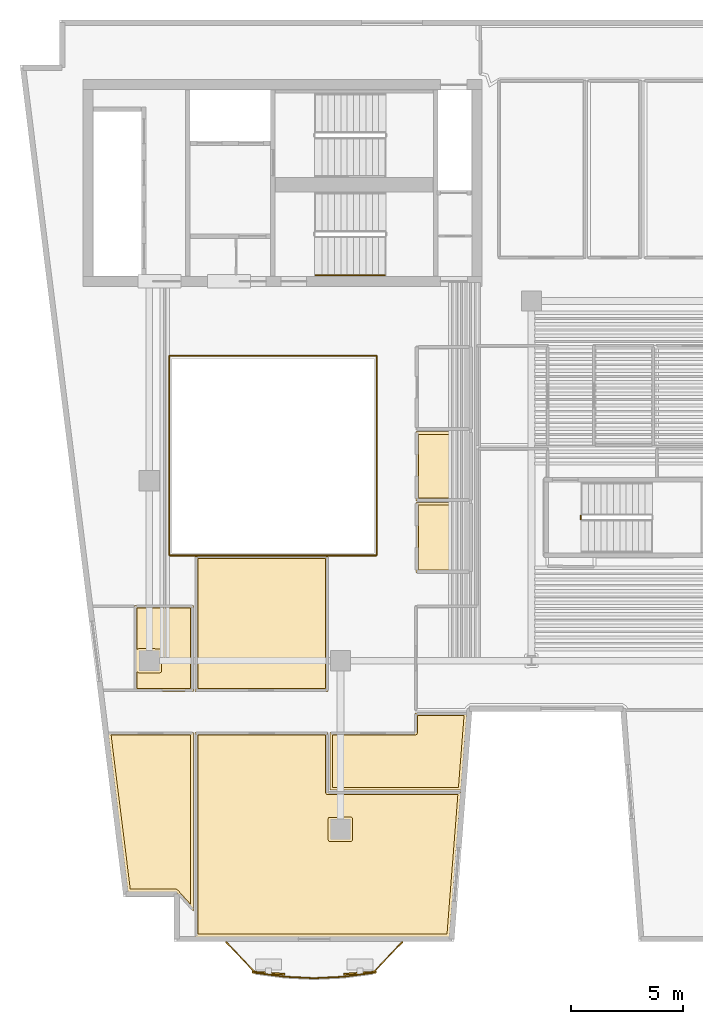
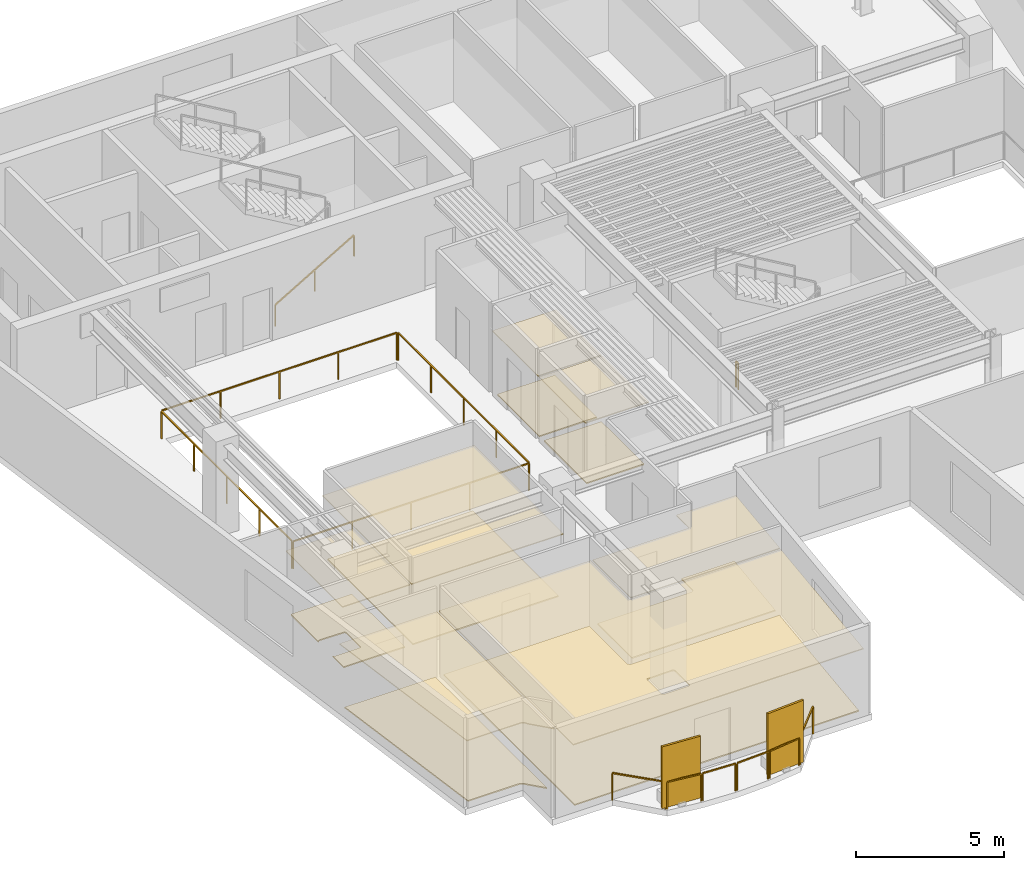
# One storey, part 8 of 10: 14 coverings, 12 railings, 2 shading devices.
"""IFC4 building model written with IfcOpenShell, lengths in metres."""

from ifc_helpers import new_model, si_unit, direction, frame, origin, origin_2d, place, context, subcontext, project, spatial, polyline, rectangle, outline, extrude, material, layer, layer_set, type_object, element, save


model = new_model("IFC4")

# Units and contexts
model_context = context("Model", 3, precision=1e-05, world=origin(), true_north=direction((0.0, 1.0)))
body_context = subcontext(model_context, "Body", "Model", "MODEL_VIEW")
ifc_project = project(units=[si_unit("LENGTHUNIT", "METRE"), si_unit("AREAUNIT", "SQUARE_METRE"), si_unit("VOLUMEUNIT", "CUBIC_METRE"), si_unit("PLANEANGLEUNIT", "RADIAN"), si_unit("MASSUNIT", "GRAM", prefix="KILO")], contexts=[model_context])

# Site, building, storey
site_placement = place(None, origin())
site = spatial("IfcSite", under=ifc_project, at=site_placement, CompositionType="ELEMENT")
building_placement = place(site_placement, origin())
building = spatial("IfcBuilding", under=site, at=building_placement, Name="Caeloran Harvest Quay", CompositionType="ELEMENT")
storey_placement = place(building_placement, frame((0.0, 0.0, 219.300048828125)))
storey = spatial("IfcBuildingStorey", under=building, at=storey_placement, Name="L52", CompositionType="ELEMENT", Elevation=219.300048828125)

# Coverings
ifc_material_1 = material(Name="Perforated Mineral-Fibre Acoustic Ceiling Tile", Category="ceiling")
ifc_layer_1 = layer(ifc_material_1, 0.0400390625, Name="Perforated Mineral-Fibre Acoustic Ceiling Tile")
ifc_layer_set_1 = layer_set([ifc_layer_1], Name="Perforated Mineral-Fibre Acoustic Ceiling Tile")
covering_type_1 = type_object("IfcCoveringType", Name="COV-CEILING-ACOUSTIC", PredefinedType="CEILING", material=ifc_layer_set_1)
covering_1_placement = place(storey_placement, frame((0.0, 0.0, 2.599853515625)))
element("IfcCovering", 1, at=covering_1_placement, inside=storey, type_object=covering_type_1, Name="L52 Female Washroom WC Acoustic Ceiling", PredefinedType="CEILING", context=body_context, shape_type="SweptSolid", body=[
    extrude(outline(polyline([(22.840087890625, 25.18994140625), (22.840087890625, 22.110107421875), (20.360107421875, 22.110107421875), (20.360107421875, 25.18994140625), (22.840087890625, 25.18994140625)])), origin(), (0.0, 0.0, 1.0), 0.0400390625),
])
covering_2_placement = place(storey_placement, frame((0.0, 0.0, 2.599853515625)))
element("IfcCovering", 2, at=covering_2_placement, inside=storey, type_object=covering_type_1, Name="L52 Accessible Unisex Washroom WC Acoustic Ceiling", PredefinedType="CEILING", context=body_context, shape_type="SweptSolid", body=[
    extrude(outline(polyline([(22.840087890625, 22.0400390625), (22.840087890625, 18.919921875), (20.360107421875, 18.919921875), (20.360107421875, 22.0400390625), (22.840087890625, 22.0400390625)])), origin(), (0.0, 0.0, 1.0), 0.0400390625),
])
covering_3_placement = place(storey_placement, frame((0.0, 0.0, 2.599853515625)))
element("IfcCovering", 3, at=covering_3_placement, inside=storey, type_object=covering_type_1, Name="Clean-Tech Venture Studio Acoustic Ceiling", PredefinedType="CEILING", context=body_context, shape_type="SweptSolid", body=[
    extrude(outline(polyline([(16.4599609375, 11.81005859375), (16.4599609375, 9.159912109375), (22.356201171875, 9.159912109375), (21.853515625, 2.719970703125), (10.5400390625, 2.719970703125), (10.5400390625, 11.81005859375), (16.4599609375, 11.81005859375)])), origin(), (0.0, 0.0, 1.0), 0.0400390625),
])
covering_4_placement = place(storey_placement, frame((0.0, 0.0, 2.599853515625)))
element("IfcCovering", 4, at=covering_4_placement, inside=storey, type_object=covering_type_1, Name="Portfolio Catering Kitchen Acoustic Ceiling", PredefinedType="CEILING", context=body_context, shape_type="SweptSolid", body=[
    extrude(outline(polyline([(10.4599609375, 11.81005859375), (10.4599609375, 3.851806640625), (9.812744140625, 4.56591796875), (9.77294921875, 4.639404296875), (9.673095703125, 4.719970703125), (7.54833984375, 4.719970703125), (6.666015625, 11.81005859375), (10.4599609375, 11.81005859375)])), origin(), (0.0, 0.0, 1.0), 0.0400390625),
])
covering_5_placement = place(storey_placement, frame((0.0, 0.0, 2.599853515625)))
element("IfcCovering", 5, at=covering_5_placement, inside=storey, type_object=covering_type_1, Name="Due-Diligence Meeting Hall Acoustic Ceiling", PredefinedType="CEILING", context=body_context, shape_type="SweptSolid", body=[
    extrude(outline(polyline([(20.31005859375, 11.81005859375), (20.31005859375, 12.679931640625), (22.630859375, 12.679931640625), (22.3623046875, 9.239990234375), (16.5400390625, 9.239990234375), (16.5400390625, 11.81005859375), (20.31005859375, 11.81005859375)])), origin(), (0.0, 0.0, 1.0), 0.0400390625),
])
covering_6_placement = place(storey_placement, frame((0.0, 0.0, 2.599853515625)))
element("IfcCovering", 6, at=covering_6_placement, inside=storey, type_object=covering_type_1, Name="General Partner Corner Office Acoustic Ceiling", PredefinedType="CEILING", context=body_context, shape_type="SweptSolid", body=[
    extrude(outline(polyline([(7.840087890625, 13.639892578125), (7.840087890625, 17.4599609375), (10.4599609375, 17.4599609375), (10.4599609375, 13.639892578125), (7.840087890625, 13.639892578125)])), origin(), (0.0, 0.0, 1.0), 0.0400390625),
])
covering_7_placement = place(storey_placement, frame((0.0, 0.0, 2.599853515625)))
element("IfcCovering", 7, at=covering_7_placement, inside=storey, type_object=covering_type_1, Name="Board Conference Room Acoustic Ceiling", PredefinedType="CEILING", context=body_context, shape_type="SweptSolid", body=[
    extrude(outline(polyline([(16.4599609375, 19.659912109375), (16.4599609375, 13.639892578125), (10.5400390625, 13.639892578125), (10.5400390625, 19.659912109375), (16.4599609375, 19.659912109375)])), origin(), (0.0, 0.0, 1.0), 0.0400390625),
])
ifc_material_2 = material(Name="Calcium-Sulphate Raised Access Floor and Terrazzo Finish", Category="flooring")
ifc_layer_2 = layer(ifc_material_2, 0.050048828125, Name="Calcium-Sulphate Raised Access Floor and Terrazzo Finish")
ifc_layer_set_2 = layer_set([ifc_layer_2], Name="Calcium-Sulphate Raised Access Floor and Terrazzo Finish")
covering_type_2 = type_object("IfcCoveringType", Name="COV-FLOOR-RAISED", PredefinedType="FLOORING", material=ifc_layer_set_2)
covering_8_placement = place(storey_placement, origin())
element("IfcCovering", 8, at=covering_8_placement, inside=storey, type_object=covering_type_2, Name="L52 Female Washroom WC Raised Finish Flooring", PredefinedType="FLOORING", context=body_context, shape_type="SweptSolid", body=[
    extrude(outline(polyline([(22.719970703125, 25.070068359375), (22.719970703125, 22.22998046875), (20.47998046875, 22.22998046875), (20.47998046875, 25.070068359375), (22.719970703125, 25.070068359375)])), origin(), (0.0, 0.0, 1.0), 0.050048828125),
])
covering_9_placement = place(storey_placement, origin())
element("IfcCovering", 9, at=covering_9_placement, inside=storey, type_object=covering_type_2, Name="L52 Accessible Unisex Washroom WC Raised Finish Flooring", PredefinedType="FLOORING", context=body_context, shape_type="SweptSolid", body=[
    extrude(outline(polyline([(22.719970703125, 21.919921875), (22.719970703125, 19.0400390625), (20.47998046875, 19.0400390625), (20.47998046875, 21.919921875), (22.719970703125, 21.919921875)])), origin(), (0.0, 0.0, 1.0), 0.050048828125),
])
covering_10_placement = place(storey_placement, origin())
element("IfcCovering", 10, at=covering_10_placement, inside=storey, type_object=covering_type_2, Name="Clean-Tech Venture Studio Raised Finish Flooring", PredefinedType="FLOORING", context=body_context, shape_type="SweptSolid", body=[
    extrude(outline(polyline([(10.659912109375, 11.68994140625), (16.340087890625, 11.68994140625), (16.340087890625, 9.1201171875), (16.404296875, 9.04150390625), (22.226318359375, 9.0400390625), (21.742431640625, 2.840087890625), (10.659912109375, 2.840087890625), (10.659912109375, 11.68994140625)]), holes=[polyline([(17.465087890625, 8.044921875), (16.484130859375, 8.02685546875), (16.455322265625, 7.972900390625), (16.455078125, 7.034912109375), (16.478515625, 6.978515625), (16.534912109375, 6.955078125), (17.465087890625, 6.955078125), (17.521484375, 6.978515625), (17.544921875, 7.034912109375), (17.544921875, 7.965087890625), (17.521484375, 8.021484375), (17.465087890625, 8.044921875)])]), origin(), (0.0, 0.0, 1.0), 0.050048828125),
])
covering_11_placement = place(storey_placement, origin())
element("IfcCovering", 11, at=covering_11_placement, inside=storey, type_object=covering_type_2, Name="Portfolio Catering Kitchen Raised Finish Flooring", PredefinedType="FLOORING", context=body_context, shape_type="SweptSolid", body=[
    extrude(outline(polyline([(9.76220703125, 4.80029296875), (9.69091796875, 4.840087890625), (7.654296875, 4.840087890625), (6.8017578125, 11.68994140625), (10.340087890625, 11.68994140625), (10.340087890625, 4.162841796875), (9.76220703125, 4.80029296875)])), origin(), (0.0, 0.0, 1.0), 0.050048828125),
])
covering_12_placement = place(storey_placement, origin())
element("IfcCovering", 12, at=covering_12_placement, inside=storey, type_object=covering_type_2, Name="Due-Diligence Meeting Hall Raised Finish Flooring", PredefinedType="FLOORING", context=body_context, shape_type="SweptSolid", body=[
    extrude(outline(polyline([(20.34814453125, 11.693603515625), (20.402587890625, 11.727294921875), (20.4296875, 11.793212890625), (20.429931640625, 12.56005859375), (22.501220703125, 12.56005859375), (22.25146484375, 9.360107421875), (16.659912109375, 9.360107421875), (16.659912109375, 11.68994140625), (20.34814453125, 11.693603515625)])), origin(), (0.0, 0.0, 1.0), 0.050048828125),
])
covering_13_placement = place(storey_placement, origin())
element("IfcCovering", 13, at=covering_13_placement, inside=storey, type_object=covering_type_2, Name="General Partner Corner Office Raised Finish Flooring", PredefinedType="FLOORING", context=body_context, shape_type="SweptSolid", body=[
    extrude(outline(polyline([(7.9599609375, 14.50732421875), (8.027099609375, 14.455322265625), (8.965087890625, 14.455078125), (9.021484375, 14.478515625), (9.044921875, 14.534912109375), (9.044921875, 15.465087890625), (9.015869140625, 15.52685546875), (8.034912109375, 15.544921875), (7.9599609375, 15.49267578125), (7.9599609375, 17.340087890625), (10.340087890625, 17.340087890625), (10.340087890625, 13.760009765625), (7.9599609375, 13.760009765625), (7.9599609375, 14.50732421875)])), origin(), (0.0, 0.0, 1.0), 0.050048828125),
])
covering_14_placement = place(storey_placement, origin())
element("IfcCovering", 14, at=covering_14_placement, inside=storey, type_object=covering_type_2, Name="Board Conference Room Raised Finish Flooring", PredefinedType="FLOORING", context=body_context, shape_type="SweptSolid", body=[
    extrude(outline(polyline([(16.340087890625, 19.5400390625), (16.340087890625, 13.760009765625), (10.659912109375, 13.760009765625), (10.659912109375, 19.5400390625), (16.340087890625, 19.5400390625)])), origin(), (0.0, 0.0, 1.0), 0.050048828125),
])

# Railings
ifc_material_3 = material(Name="Powder-Coated Steel Post and Laminated Glass Guardrail", Category="steel")
ifc_layer_3 = layer(ifc_material_3, 0.06005859375, Name="Powder-Coated Steel Post and Laminated Glass Guardrail")
ifc_layer_set_3 = layer_set([ifc_layer_3], Name="Powder-Coated Steel Post and Laminated Glass Guardrail")
railing_type_1 = type_object("IfcRailingType", Name="GUARD-ATRIUM-1150", PredefinedType="GUARDRAIL", material=ifc_layer_set_3)
railing_1_placement = place(storey_placement, frame((9.412109375, 19.679931640625, 0.0)))
element("IfcRailing", 15, at=railing_1_placement, inside=storey, type_object=railing_type_1, Name="L52 Skylit Atrium Void Perimeter Guardrail Seg 1", PredefinedType="GUARDRAIL", context=body_context, shape_type="SweptSolid", body=[
    extrude(rectangle(XDim=0.048095703125, YDim=0.048095703125, at=origin_2d()), frame((0.0, 0.0, 1.1259765625), z_axis=(1.0, 0.0, 0.0), x_axis=(0.0, 1.0, 0.0)), (0.0, 0.0, 1.0), 9.17578125),
    extrude(rectangle(XDim=0.0419921875, YDim=0.0419921875, at=origin_2d()), origin(), (0.0, 0.0, 1.0), 1.101806640625),
    extrude(rectangle(XDim=0.0419921875, YDim=0.0419921875, at=origin_2d()), frame((2.2939453125, 0.0, 0.0)), (0.0, 0.0, 1.0), 1.101806640625),
    extrude(rectangle(XDim=0.0419921875, YDim=0.0419921875, at=origin_2d()), frame((4.587890625, 0.0, 0.0)), (0.0, 0.0, 1.0), 1.101806640625),
    extrude(rectangle(XDim=0.0419921875, YDim=0.0419921875, at=origin_2d()), frame((6.8818359375, 0.0, 0.0)), (0.0, 0.0, 1.0), 1.101806640625),
    extrude(rectangle(XDim=0.0419921875, YDim=0.0419921875, at=origin_2d()), frame((9.17578125, 0.0, 0.0)), (0.0, 0.0, 1.0), 1.101806640625),
])
railing_2_placement = place(storey_placement, frame((18.6201171875, 19.7119140625, 0.0)))
element("IfcRailing", 16, at=railing_2_placement, inside=storey, type_object=railing_type_1, Name="L52 Skylit Atrium Void Perimeter Guardrail Seg 2", PredefinedType="GUARDRAIL", context=body_context, shape_type="SweptSolid", body=[
    extrude(rectangle(XDim=0.048095703125, YDim=0.048095703125, at=origin_2d()), frame((0.0, 0.0, 1.1259765625), z_axis=(0.0, 1.0, 0.0), x_axis=(-1.0, 0.0, 0.0)), (0.0, 0.0, 1.0), 8.826171875),
    extrude(rectangle(XDim=0.0419921875, YDim=0.0419921875, at=origin_2d()), origin(), (0.0, 0.0, 1.0), 1.101806640625),
    extrude(rectangle(XDim=0.0419921875, YDim=0.0419921875, at=origin_2d()), frame((0.0, 2.20654296875, 0.0)), (0.0, 0.0, 1.0), 1.101806640625),
    extrude(rectangle(XDim=0.0419921875, YDim=0.0419921875, at=origin_2d()), frame((0.0, 4.4130859375, 0.0)), (0.0, 0.0, 1.0), 1.101806640625),
    extrude(rectangle(XDim=0.0419921875, YDim=0.0419921875, at=origin_2d()), frame((0.0, 6.61962890625, 0.0)), (0.0, 0.0, 1.0), 1.101806640625),
    extrude(rectangle(XDim=0.0419921875, YDim=0.0419921875, at=origin_2d()), frame((0.0, 8.826171875, 0.0)), (0.0, 0.0, 1.0), 1.101806640625),
])
railing_3_placement = place(storey_placement, frame((18.587890625, 28.570068359375, 0.0)))
element("IfcRailing", 17, at=railing_3_placement, inside=storey, type_object=railing_type_1, Name="L52 Skylit Atrium Void Perimeter Guardrail Seg 3", PredefinedType="GUARDRAIL", context=body_context, shape_type="SweptSolid", body=[
    extrude(rectangle(XDim=0.048095703125, YDim=0.048095703125, at=origin_2d()), frame((0.0, 0.0, 1.1259765625), z_axis=(-1.0, 0.0, 0.0), x_axis=(0.0, -1.0, 0.0)), (0.0, 0.0, 1.0), 9.17578125),
    extrude(rectangle(XDim=0.0419921875, YDim=0.0419921875, at=origin_2d()), origin(), (0.0, 0.0, 1.0), 1.101806640625),
    extrude(rectangle(XDim=0.0419921875, YDim=0.0419921875, at=origin_2d()), frame((-2.2939453125, 0.0, 0.0)), (0.0, 0.0, 1.0), 1.101806640625),
    extrude(rectangle(XDim=0.0419921875, YDim=0.0419921875, at=origin_2d()), frame((-4.587890625, 0.0, 0.0)), (0.0, 0.0, 1.0), 1.101806640625),
    extrude(rectangle(XDim=0.0419921875, YDim=0.0419921875, at=origin_2d()), frame((-6.8818359375, 0.0, 0.0)), (0.0, 0.0, 1.0), 1.101806640625),
    extrude(rectangle(XDim=0.0419921875, YDim=0.0419921875, at=origin_2d()), frame((-9.17578125, 0.0, 0.0)), (0.0, 0.0, 1.0), 1.101806640625),
])
railing_4_placement = place(storey_placement, frame((9.3798828125, 28.5380859375, 0.0)))
element("IfcRailing", 18, at=railing_4_placement, inside=storey, type_object=railing_type_1, Name="L52 Skylit Atrium Void Perimeter Guardrail Seg 4", PredefinedType="GUARDRAIL", context=body_context, shape_type="SweptSolid", body=[
    extrude(rectangle(XDim=0.048095703125, YDim=0.048095703125, at=origin_2d()), frame((0.0, 0.0, 1.1259765625), z_axis=(0.0, -1.0, 0.0), x_axis=(1.0, 0.0, 0.0)), (0.0, 0.0, 1.0), 8.826171875),
    extrude(rectangle(XDim=0.0419921875, YDim=0.0419921875, at=origin_2d()), origin(), (0.0, 0.0, 1.0), 1.101806640625),
    extrude(rectangle(XDim=0.0419921875, YDim=0.0419921875, at=origin_2d()), frame((0.0, -2.20654296875, 0.0)), (0.0, 0.0, 1.0), 1.101806640625),
    extrude(rectangle(XDim=0.0419921875, YDim=0.0419921875, at=origin_2d()), frame((0.0, -4.4130859375, 0.0)), (0.0, 0.0, 1.0), 1.101806640625),
    extrude(rectangle(XDim=0.0419921875, YDim=0.0419921875, at=origin_2d()), frame((0.0, -6.61962890625, 0.0)), (0.0, 0.0, 1.0), 1.101806640625),
    extrude(rectangle(XDim=0.0419921875, YDim=0.0419921875, at=origin_2d()), frame((0.0, -8.826171875, 0.0)), (0.0, 0.0, 1.0), 1.101806640625),
])
ifc_material_4 = material(Name="Laminated Safety Glass and Stainless Steel 316", Category="steel")
ifc_layer_4 = layer(ifc_material_4, 0.06005859375, Name="Laminated Safety Glass and Stainless Steel 316")
ifc_layer_set_4 = layer_set([ifc_layer_4], Name="Laminated Safety Glass and Stainless Steel 316")
railing_type_2 = type_object("IfcRailingType", Name="GUARD-BALUSTRADE-1150", PredefinedType="BALUSTRADE", material=ifc_layer_set_4)
railing_5_placement = place(storey_placement, frame((19.74609375, 2.47998046875, 0.0)))
element("IfcRailing", 19, at=railing_5_placement, inside=storey, type_object=railing_type_2, Name="L52 Planted Balcony Perimeter Balustrade Guard Seg 1", PredefinedType="BALUSTRADE", context=body_context, shape_type="SweptSolid", body=[
    extrude(rectangle(XDim=0.048095703125, YDim=0.048095703125, at=origin_2d()), frame((0.0, 0.0, 1.1259765625), z_axis=(-0.690344383286, -0.723480913684, 0.0), x_axis=(0.723480913684, -0.690344383286, 0.0)), (0.0, 0.0, 1.0), 1.856689453125),
    extrude(rectangle(XDim=0.0419921875, YDim=0.0419921875, at=origin_2d()), origin(), (0.0, 0.0, 1.0), 1.101806640625),
    extrude(rectangle(XDim=0.0419921875, YDim=0.0419921875, at=origin_2d()), frame((-1.28173828125, -1.34326171875, 0.0)), (0.0, 0.0, 1.0), 1.101806640625),
])
railing_6_placement = place(storey_placement, frame((18.410400390625, 1.109130859375, 0.0)))
element("IfcRailing", 20, at=railing_6_placement, inside=storey, type_object=railing_type_2, Name="L52 Planted Balcony Perimeter Balustrade Guard Seg 2", PredefinedType="BALUSTRADE", context=body_context, shape_type="SweptSolid", body=[
    extrude(rectangle(XDim=0.048095703125, YDim=0.048095703125, at=origin_2d()), frame((0.0, 0.0, 1.1259765625), z_axis=(-0.991290832542, -0.131690870294, 0.0), x_axis=(0.131690870294, -0.991290832542, 0.0)), (0.0, 0.0, 1.0), 1.25146484375),
    extrude(rectangle(XDim=0.0419921875, YDim=0.0419921875, at=origin_2d()), origin(), (0.0, 0.0, 1.0), 1.101806640625),
    extrude(rectangle(XDim=0.0419921875, YDim=0.0419921875, at=origin_2d()), frame((-1.240478515625, -0.164794921875, 0.0)), (0.0, 0.0, 1.0), 1.101806640625),
])
railing_7_placement = place(storey_placement, frame((17.106201171875, 0.938720703125, 0.0)))
element("IfcRailing", 21, at=railing_7_placement, inside=storey, type_object=railing_type_2, Name="L52 Planted Balcony Perimeter Balustrade Guard Seg 3", PredefinedType="BALUSTRADE", context=body_context, shape_type="SweptSolid", body=[
    extrude(rectangle(XDim=0.048095703125, YDim=0.048095703125, at=origin_2d()), frame((0.0, 0.0, 1.1259765625), z_axis=(-0.998819112005, -0.048583757516, 0.0), x_axis=(0.048583757516, -0.998819112005, 0.0)), (0.0, 0.0, 1.0), 1.2412109375),
    extrude(rectangle(XDim=0.0419921875, YDim=0.0419921875, at=origin_2d()), origin(), (0.0, 0.0, 1.0), 1.101806640625),
    extrude(rectangle(XDim=0.0419921875, YDim=0.0419921875, at=origin_2d()), frame((-1.23974609375, -0.060302734375, 0.0)), (0.0, 0.0, 1.0), 1.101806640625),
])
railing_8_placement = place(storey_placement, frame((15.802490234375, 0.87841796875, 0.0)))
element("IfcRailing", 22, at=railing_8_placement, inside=storey, type_object=railing_type_2, Name="L52 Planted Balcony Perimeter Balustrade Guard Seg 4", PredefinedType="BALUSTRADE", context=body_context, shape_type="SweptSolid", body=[
    extrude(rectangle(XDim=0.048095703125, YDim=0.048095703125, at=origin_2d()), frame((0.0, 0.0, 1.1259765625), z_axis=(-0.998819112005, 0.048583757516, 0.0), x_axis=(-0.048583757516, -0.998819112005, 0.0)), (0.0, 0.0, 1.0), 1.2412109375),
    extrude(rectangle(XDim=0.0419921875, YDim=0.0419921875, at=origin_2d()), origin(), (0.0, 0.0, 1.0), 1.101806640625),
    extrude(rectangle(XDim=0.0419921875, YDim=0.0419921875, at=origin_2d()), frame((-1.23974609375, 0.060302734375, 0.0)), (0.0, 0.0, 1.0), 1.101806640625),
])
railing_9_placement = place(storey_placement, frame((14.4990234375, 0.9443359375, 0.0)))
element("IfcRailing", 23, at=railing_9_placement, inside=storey, type_object=railing_type_2, Name="L52 Planted Balcony Perimeter Balustrade Guard Seg 5", PredefinedType="BALUSTRADE", context=body_context, shape_type="SweptSolid", body=[
    extrude(rectangle(XDim=0.048095703125, YDim=0.048095703125, at=origin_2d()), frame((0.0, 0.0, 1.1259765625), z_axis=(-0.991290832542, 0.131690870294, 0.0), x_axis=(-0.131690870294, -0.991290832542, 0.0)), (0.0, 0.0, 1.0), 1.25146484375),
    extrude(rectangle(XDim=0.0419921875, YDim=0.0419921875, at=origin_2d()), origin(), (0.0, 0.0, 1.0), 1.101806640625),
    extrude(rectangle(XDim=0.0419921875, YDim=0.0419921875, at=origin_2d()), frame((-1.240478515625, 0.164794921875, 0.0)), (0.0, 0.0, 1.0), 1.101806640625),
])
railing_10_placement = place(storey_placement, frame((13.20458984375, 1.13671875, 0.0)))
element("IfcRailing", 24, at=railing_10_placement, inside=storey, type_object=railing_type_2, Name="L52 Planted Balcony Perimeter Balustrade Guard Seg 6", PredefinedType="BALUSTRADE", context=body_context, shape_type="SweptSolid", body=[
    extrude(rectangle(XDim=0.048095703125, YDim=0.048095703125, at=origin_2d()), frame((0.0, 0.0, 1.1259765625), z_axis=(-0.690275546627, 0.723546591263, 0.0), x_axis=(-0.723546591263, -0.690275546627, 0.0)), (0.0, 0.0, 1.0), 1.8564453125),
    extrude(rectangle(XDim=0.0419921875, YDim=0.0419921875, at=origin_2d()), origin(), (0.0, 0.0, 1.0), 1.101806640625),
    extrude(rectangle(XDim=0.0419921875, YDim=0.0419921875, at=origin_2d()), frame((-1.281494140625, 1.34326171875, 0.0)), (0.0, 0.0, 1.0), 1.101806640625),
])

# Shading devices
ifc_material_5 = material(Name="3003-H14 Perforated Powder-Coated Aluminium", Category="aluminium")
shading_device_type = type_object("IfcShadingDeviceType", Name="SHADE-SCREEN-FOLDED", PredefinedType="USERDEFINED", material=ifc_material_5)
for number, where, z_axis, x_axis, name in (
    (25, (17.868408203125, 1.101318359375, 0.07470703125), (0.0, 0.0, 1.0), (0.997801468292, 0.0662739004, 0.0), "L52 Folded Facade Breathing Screen 1"),
    (26, (13.800537109375, 1.101318359375, 0.07470703125), (0.0, 0.0, 1.0), (0.997801468292, -0.0662739004, 0.0), "L52 Folded Facade Breathing Screen 2"),
):
    element("IfcShadingDevice", number, at=place(storey_placement, frame(where, z_axis=z_axis, x_axis=x_axis)), inside=storey, type_object=shading_device_type, Name=name, ObjectType="SCREEN", PredefinedType="USERDEFINED", context=body_context, shape_type="SweptSolid", body=[
        extrude(rectangle(XDim=1.449951171875, YDim=0.080078125, at=origin_2d()), origin(), (0.0, 0.0, 1.0), 2.550048828125),
    ])

# Railings
ifc_material_6 = material(Name="Painted Steel Baluster and Top-Rail Stair Guard", Category="steel")
ifc_layer_5 = layer(ifc_material_6, 0.050048828125, Name="Painted Steel Baluster and Top-Rail Stair Guard")
ifc_layer_set_5 = layer_set([ifc_layer_5], Name="Painted Steel Baluster and Top-Rail Stair Guard")
railing_type_3 = type_object("IfcRailingType", Name="STAIR-GUARD-1100", PredefinedType="GUARDRAIL", material=ifc_layer_set_5)
railing_11_placement = place(storey_placement, frame((27.699951171875, 21.300048828125, 0.0)))
element("IfcRailing", 27, at=railing_11_placement, inside=storey, type_object=railing_type_3, Name="L52 ST-W1 stair guard 4", PredefinedType="GUARDRAIL", context=body_context, shape_type="SweptSolid", body=[
    extrude(rectangle(XDim=0.048095703125, YDim=0.048095703125, at=origin_2d()), frame((0.0, 0.0, 1.076171875), z_axis=(0.0, 1.0, 0.0), x_axis=(-1.0, 0.0, 0.0)), (0.0, 0.0, 1.0), 0.14990234375),
    extrude(rectangle(XDim=0.0419921875, YDim=0.0419921875, at=origin_2d()), origin(), (0.0, 0.0, 1.0), 1.052001953125),
    extrude(rectangle(XDim=0.0419921875, YDim=0.0419921875, at=origin_2d()), frame((0.0, 0.14990234375, 0.0)), (0.0, 0.0, 1.0), 1.052001953125),
])
ifc_material_7 = material(Name="Brushed Stainless Steel Grade 304", Category="steel")
ifc_layer_6 = layer(ifc_material_7, 0.050048828125, Name="Brushed Stainless Steel Grade 304")
ifc_layer_set_6 = layer_set([ifc_layer_6], Name="Brushed Stainless Steel Grade 304")
railing_type_4 = type_object("IfcRailingType", Name="STAIR-HANDRAIL-900", PredefinedType="HANDRAIL", material=ifc_layer_set_6)
railing_12_placement = place(storey_placement, frame((15.89990234375, 32.14990234375, 0.16455078125)))
element("IfcRailing", 28, at=railing_12_placement, inside=storey, type_object=railing_type_4, Name="L52 ST-C2 stair handrail 1", PredefinedType="HANDRAIL", context=body_context, shape_type="SweptSolid", body=[
    extrude(rectangle(XDim=0.048095703125, YDim=0.048095703125, at=origin_2d()), frame((0.0, 0.0, 0.8759765625), z_axis=(0.862118610829, 0.0, 0.506706523406), x_axis=(0.0, 1.0, 0.0)), (0.0, 0.0, 1.0), 3.57275390625),
    extrude(rectangle(XDim=0.0419921875, YDim=0.0419921875, at=origin_2d()), origin(), (0.0, 0.0, 1.0), 0.851806640625),
    extrude(rectangle(XDim=0.0419921875, YDim=0.0419921875, at=origin_2d()), frame((1.5400390625, 0.0, 0.9052734375)), (0.0, 0.0, 1.0), 0.851806640625),
    extrude(rectangle(XDim=0.0419921875, YDim=0.0419921875, at=origin_2d()), frame((3.080078125, 0.0, 1.810302734375)), (0.0, 0.0, 1.0), 0.851806640625),
])

save(model, "model.ifc")
